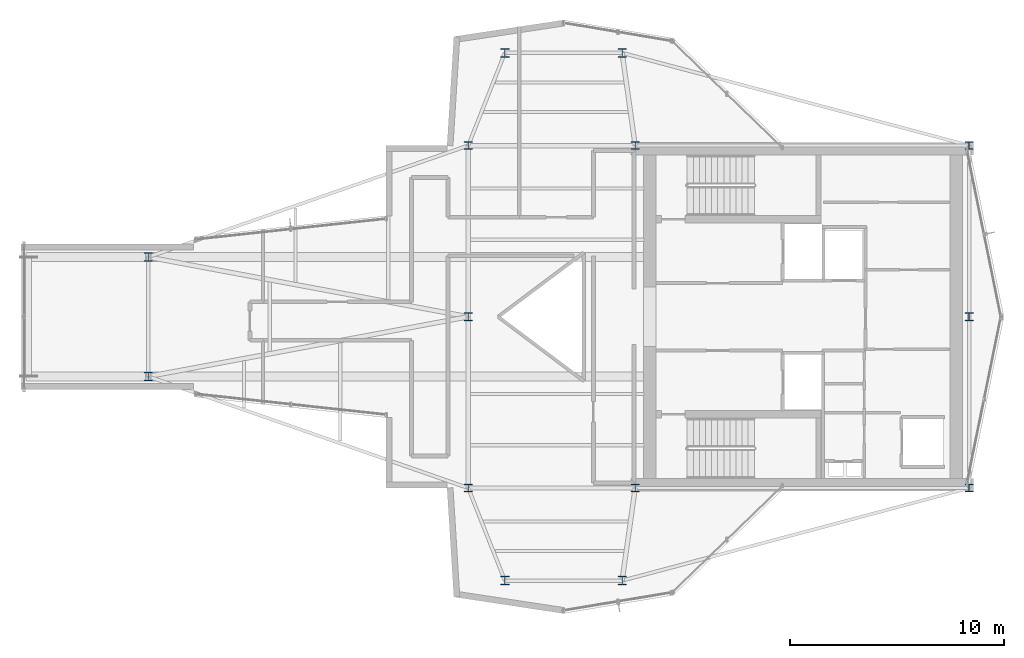
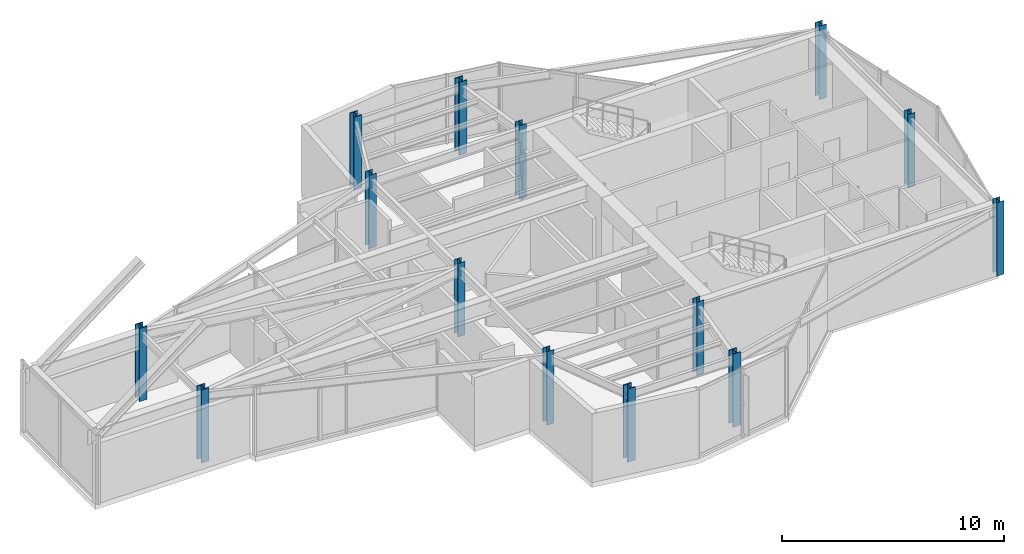
# One storey, part 1 of 16: 14 columns.
"""IFC4 building model written with IfcOpenShell, lengths in metres."""

from ifc_helpers import new_model, si_unit, direction, frame, origin, origin_2d, place, context, subcontext, project, spatial, i_section, extrude, material, material_profile, profile_set, type_object, element, save


model = new_model("IFC4")

# Units and contexts
model_context = context("Model", 3, precision=1e-05, world=origin(), true_north=direction((0.0, 1.0)))
body_context = subcontext(model_context, "Body", "Model", "MODEL_VIEW")
ifc_project = project(units=[si_unit("LENGTHUNIT", "METRE"), si_unit("AREAUNIT", "SQUARE_METRE"), si_unit("VOLUMEUNIT", "CUBIC_METRE"), si_unit("PLANEANGLEUNIT", "RADIAN"), si_unit("MASSUNIT", "GRAM", prefix="KILO")], contexts=[model_context])

# Site, building, storey
site_placement = place(None, origin())
site = spatial("IfcSite", under=ifc_project, at=site_placement, CompositionType="ELEMENT")
building_placement = place(site_placement, origin())
building = spatial("IfcBuilding", under=site, at=building_placement, Name="Veymaron Broadcast Tower", CompositionType="ELEMENT")
storey_placement = place(building_placement, frame((0.0, 0.0, 315.449951171875)))
storey = spatial("IfcBuildingStorey", under=building, at=storey_placement, Name="L74", CompositionType="ELEMENT", Elevation=315.449951171875)

# Columns
ifc_material_1 = material(Name="Structural steel ASTM A992 Gr 50", Category="steel")
ifc_material_profile_1 = material_profile(ifc_material_1, i_section(OverallWidth=0.373046875, OverallDepth=0.367919921875, WebThickness=0.014892578125, FlangeThickness=0.02392578125, at=origin_2d()), Name="W360X179")
ifc_profile_set_1 = profile_set([ifc_material_profile_1], Name="Structural steel ASTM A992 Gr 50")
column_type_1 = type_object("IfcColumnType", Name="COL-HC4", PredefinedType="COLUMN", material=ifc_profile_set_1)
for number, where, z_axis, x_axis, name in (
    (1, (31.199951171875, 16.0, 0.0), (0.0, 0.0, 1.0), (1.0, 0.0, 0.0), "L74 structural hub and core column"),
    (2, (31.199951171875, 24.0, 0.0), (0.0, 0.0, 1.0), (1.0, 0.0, 0.0), "L74 structural hub and core column"),
    (3, (31.199951171875, 32.0, 0.0), (0.0, 0.0, 1.0), (1.0, 0.0, 0.0), "L74 structural hub and core column"),
    (4, (39.0, 16.0, 0.0), (0.0, 0.0, 1.0), (1.0, 0.0, 0.0), "L74 structural hub and core column"),
    (5, (39.0, 32.0, 0.0), (0.0, 0.0, 1.0), (1.0, 0.0, 0.0), "L74 structural hub and core column"),
    (6, (54.60009765625, 16.0, 0.0), (0.0, 0.0, 1.0), (1.0, 0.0, 0.0), "L74 structural hub and core column"),
    (7, (54.60009765625, 24.0, 0.0), (0.0, 0.0, 1.0), (1.0, 0.0, 0.0), "L74 structural hub and core column"),
    (8, (54.60009765625, 32.0, 0.0), (0.0, 0.0, 1.0), (1.0, 0.0, 0.0), "L74 structural hub and core column"),
):
    element("IfcColumn", number, at=place(storey_placement, frame(where, z_axis=z_axis, x_axis=x_axis)), inside=storey, type_object=column_type_1, Name=name, PredefinedType="COLUMN", context=body_context, shape_type="SweptSolid", body=[
        extrude(i_section(OverallWidth=0.373046875, OverallDepth=0.367919921875, WebThickness=0.014892578125, FlangeThickness=0.02392578125, at=origin_2d()), origin(), (0.0, 0.0, 1.0), 4.0439453125),
    ])
ifc_material_2 = material(Name="Structural steel ASTM A913 Gr 65", Category="steel")
ifc_material_profile_2 = material_profile(ifc_material_2, i_section(OverallWidth=0.406005859375, OverallDepth=0.416015625, WebThickness=0.02978515625, FlangeThickness=0.048095703125, at=origin_2d()), Name="W360X382")
ifc_profile_set_2 = profile_set([ifc_material_profile_2], Name="Structural steel ASTM A913 Gr 65")
column_type_2 = type_object("IfcColumnType", Name="COL-MC4", PredefinedType="COLUMN", material=ifc_profile_set_2)
for number, where, z_axis, x_axis, name in (
    (9, (16.24560546875, 21.2119140625, 0.01611328125), (0.0, 0.0, 1.0), (1.0, 0.0, 0.0), "L74 Tapered Wing Mega Column"),
    (10, (16.24560546875, 26.7880859375, 0.01611328125), (0.0, 0.0, 1.0), (1.0, 0.0, 0.0), "L74 Tapered Wing Mega Column"),
    (11, (32.91357421875, 36.327880859375, 0.01611328125), (0.0, 0.0, 1.0), (1.0, 0.0, 0.0), "L74 Tapered Wing Mega Column"),
    (12, (38.387939453125, 36.327880859375, 0.01611328125), (0.0, 0.0, 1.0), (1.0, 0.0, 0.0), "L74 Tapered Wing Mega Column"),
    (13, (32.91357421875, 11.672119140625, 0.01611328125), (0.0, 0.0, 1.0), (1.0, 0.0, 0.0), "L74 Tapered Wing Mega Column"),
    (14, (38.387939453125, 11.672119140625, 0.01611328125), (0.0, 0.0, 1.0), (1.0, 0.0, 0.0), "L74 Tapered Wing Mega Column"),
):
    element("IfcColumn", number, at=place(storey_placement, frame(where, z_axis=z_axis, x_axis=x_axis)), inside=storey, type_object=column_type_2, Name=name, PredefinedType="COLUMN", context=body_context, shape_type="SweptSolid", body=[
        extrude(i_section(OverallWidth=0.406005859375, OverallDepth=0.416015625, WebThickness=0.02978515625, FlangeThickness=0.048095703125, at=origin_2d()), origin(), (0.0, 0.0, 1.0), 4.017822265625),
    ])

save(model, "model.ifc")
